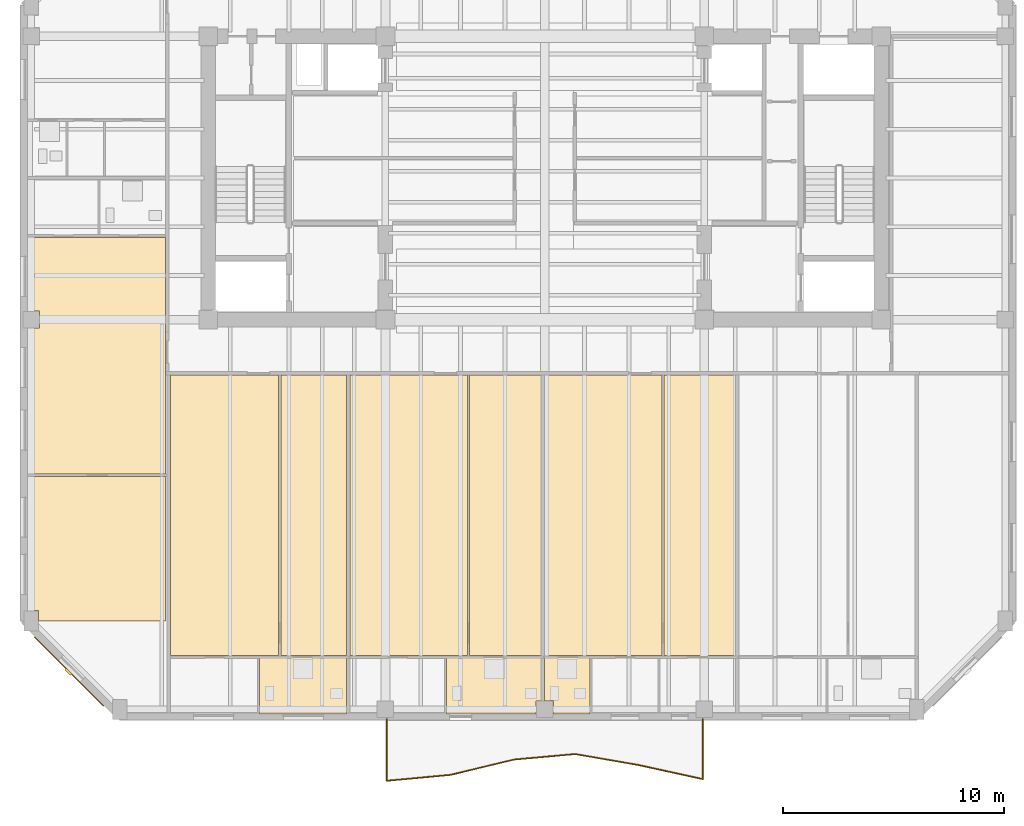
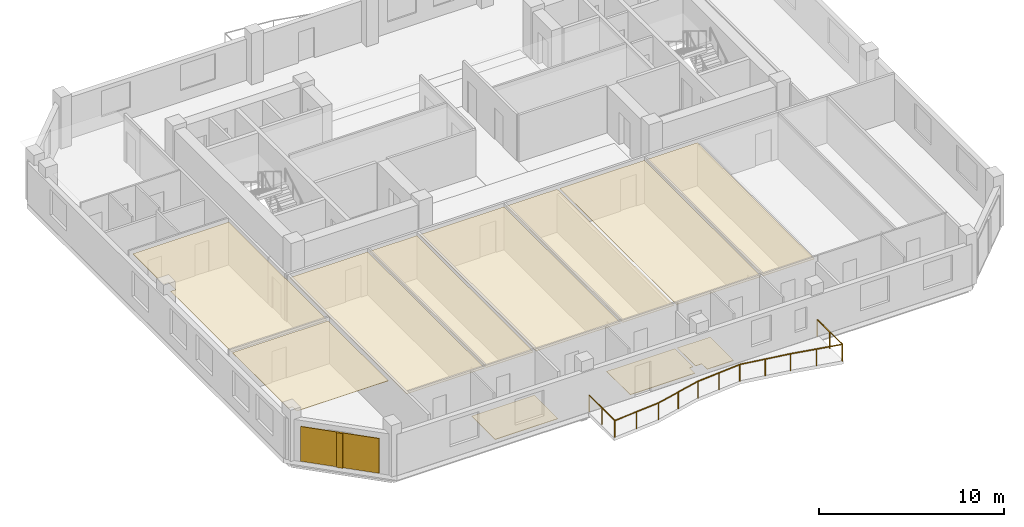
# One storey, part 7 of 11: 12 coverings, 1 railing, 1 shading device.
"""IFC4 building model written with IfcOpenShell, lengths in metres."""

from ifc_helpers import new_model, si_unit, direction, frame, origin, origin_2d, place, context, subcontext, project, spatial, polyline, rectangle, circle, outline, extrude, material, layer, layer_set, type_object, element, save


model = new_model("IFC4")

# Units and contexts
model_context = context("Model", 3, precision=1e-05, world=origin(), true_north=direction((0.0, 1.0)))
body_context = subcontext(model_context, "Body", "Model", "MODEL_VIEW")
ifc_project = project(units=[si_unit("LENGTHUNIT", "METRE"), si_unit("AREAUNIT", "SQUARE_METRE"), si_unit("VOLUMEUNIT", "CUBIC_METRE"), si_unit("PLANEANGLEUNIT", "RADIAN"), si_unit("MASSUNIT", "GRAM", prefix="KILO")], contexts=[model_context])

# Site, building, storey
site_placement = place(None, origin())
site = spatial("IfcSite", under=ifc_project, at=site_placement, CompositionType="ELEMENT")
building_placement = place(site_placement, origin())
building = spatial("IfcBuilding", under=site, at=building_placement, Name="Kranthara Brick Stack", CompositionType="ELEMENT")
storey_placement = place(building_placement, frame((0.0, 0.0, 221.10009765625)))
storey = spatial("IfcBuildingStorey", under=building, at=storey_placement, Name="L57", CompositionType="ELEMENT", Elevation=221.10009765625)

# Coverings
ifc_material_1 = material(Name="Perforated mineral-fibre acoustic ceiling tile", Category="other")
ifc_layer_1 = layer(ifc_material_1, 0.02490234375)
ifc_layer_set_1 = layer_set([ifc_layer_1], Name="Perforated mineral-fibre acoustic ceiling tile")
covering_type_1 = type_object("IfcCoveringType", Name="COV-CEIL-ACOUSTIC", PredefinedType="CEILING", material=ifc_layer_set_1)
covering_1_placement = place(storey_placement, frame((0.0, 0.0, 2.829833984375)))
element("IfcCovering", 1, at=covering_1_placement, inside=storey, type_object=covering_type_1, Name="L57 Unit L57A Studio Apartment Living Acoustic Ceiling", PredefinedType="CEILING", context=body_context, shape_type="SweptSolid", body=[
    extrude(outline(polyline([(15.97705078125, 5.6298828125), (15.97705078125, 18.300048828125), (11.10009765625, 18.300048828125), (11.10009765625, 5.6298828125), (15.97705078125, 5.6298828125)])), origin(), (0.0, 0.0, 1.0), 0.025146484375),
])
covering_2_placement = place(storey_placement, frame((0.0, 0.0, 2.829833984375)))
element("IfcCovering", 2, at=covering_2_placement, inside=storey, type_object=covering_type_1, Name="L57 Unit L57A Private Study Room Acoustic Ceiling", PredefinedType="CEILING", context=body_context, shape_type="SweptSolid", body=[
    extrude(outline(polyline([(19.047119140625, 5.6298828125), (19.047119140625, 18.300048828125), (16.076904296875, 18.300048828125), (16.076904296875, 5.6298828125), (19.047119140625, 5.6298828125)])), origin(), (0.0, 0.0, 1.0), 0.025146484375),
])
covering_3_placement = place(storey_placement, frame((0.0, 0.0, 2.829833984375)))
element("IfcCovering", 3, at=covering_3_placement, inside=storey, type_object=covering_type_1, Name="L57 Unit L57B Studio Apartment Living Acoustic Ceiling", PredefinedType="CEILING", context=body_context, shape_type="SweptSolid", body=[
    extrude(outline(polyline([(24.5029296875, 5.6298828125), (24.5029296875, 18.300048828125), (19.20703125, 18.300048828125), (19.20703125, 5.6298828125), (24.5029296875, 5.6298828125)])), origin(), (0.0, 0.0, 1.0), 0.025146484375),
])
covering_4_placement = place(storey_placement, frame((0.0, 0.0, 2.829833984375)))
element("IfcCovering", 4, at=covering_4_placement, inside=storey, type_object=covering_type_1, Name="L57 Unit L57B Private Study Room Acoustic Ceiling", PredefinedType="CEILING", context=body_context, shape_type="SweptSolid", body=[
    extrude(outline(polyline([(27.830078125, 5.6298828125), (27.830078125, 18.300048828125), (24.60302734375, 18.300048828125), (24.60302734375, 5.6298828125), (27.830078125, 5.6298828125)])), origin(), (0.0, 0.0, 1.0), 0.025146484375),
])
covering_5_placement = place(storey_placement, frame((0.0, 0.0, 2.829833984375)))
element("IfcCovering", 5, at=covering_5_placement, inside=storey, type_object=covering_type_1, Name="L57 Unit L57C 1-Bed Apartment Living Dining Acoustic Ceiling", PredefinedType="CEILING", context=body_context, shape_type="SweptSolid", body=[
    extrude(outline(polyline([(33.285888671875, 5.6298828125), (33.285888671875, 18.300048828125), (27.989990234375, 18.300048828125), (27.989990234375, 5.6298828125), (33.285888671875, 5.6298828125)])), origin(), (0.0, 0.0, 1.0), 0.025146484375),
])
covering_6_placement = place(storey_placement, frame((0.0, 0.0, 2.829833984375)))
element("IfcCovering", 6, at=covering_6_placement, inside=storey, type_object=covering_type_1, Name="L57 Unit L57C Private Study Room Acoustic Ceiling", PredefinedType="CEILING", context=body_context, shape_type="SweptSolid", body=[
    extrude(outline(polyline([(36.613037109375, 5.6298828125), (36.613037109375, 18.300048828125), (33.385986328125, 18.300048828125), (33.385986328125, 5.6298828125), (36.613037109375, 5.6298828125)])), origin(), (0.0, 0.0, 1.0), 0.025146484375),
])
covering_7_placement = place(storey_placement, frame((0.0, 0.0, 2.829833984375)))
element("IfcCovering", 7, at=covering_7_placement, inside=storey, type_object=covering_type_1, Name="L57 Unit L57E Private Study Room Acoustic Ceiling", PredefinedType="CEILING", context=body_context, shape_type="SweptSolid", body=[
    extrude(outline(polyline([(4.8701171875, 13.72802734375), (10.860107421875, 13.72802734375), (10.860107421875, 7.199951171875), (5.135009765625, 7.199951171875), (5.135009765625, 7.659912109375), (4.8701171875, 7.659912109375), (4.8701171875, 13.72802734375)])), origin(), (0.0, 0.0, 1.0), 0.025146484375),
])
covering_8_placement = place(storey_placement, frame((0.0, 0.0, 2.829833984375)))
element("IfcCovering", 8, at=covering_8_placement, inside=storey, type_object=covering_type_1, Name="L57 Unit L57E Studio Apartment Living Acoustic Ceiling", PredefinedType="CEILING", context=body_context, shape_type="SweptSolid", body=[
    extrude(outline(polyline([(4.8701171875, 24.510009765625), (10.860107421875, 24.510009765625), (10.860107421875, 13.827880859375), (4.8701171875, 13.827880859375), (4.8701171875, 20.4150390625), (5.18505859375, 20.4150390625), (5.18505859375, 21.18505859375), (4.8701171875, 21.18505859375), (4.8701171875, 24.510009765625)])), origin(), (0.0, 0.0, 1.0), 0.025146484375),
])
ifc_material_2 = material(Name="Warm buff kiln-fired brick slip rainscreen", Category="masonry")
ifc_layer_2 = layer(ifc_material_2, 0.044921875)
ifc_layer_set_2 = layer_set([ifc_layer_2], Name="Warm buff kiln-fired brick slip rainscreen")
covering_type_2 = type_object("IfcCoveringType", Name="COV-CLAD-BRICK", PredefinedType="CLADDING", material=ifc_layer_set_2)
covering_9_placement = place(storey_placement, frame((6.5126953125, 4.91259765625, 0.0498046875), z_axis=(0.0, 0.0, 1.0), x_axis=(-0.707106781187, 0.707106781187, 0.0)))
element("IfcCovering", 9, at=covering_9_placement, inside=storey, type_object=covering_type_2, Name="L57 Chamfer Brick Rainscreen Cladding SW", PredefinedType="CLADDING", context=body_context, shape_type="SweptSolid", body=[
    extrude(rectangle(XDim=4.39892578125, YDim=0.044921875, at=origin_2d()), origin(), (0.0, 0.0, 1.0), 2.300048828125),
])
ifc_material_3 = material(Name="Honed terrazzo and porcelain floor finish", Category="stone")
ifc_layer_3 = layer(ifc_material_3, 0.030029296875)
ifc_layer_set_3 = layer_set([ifc_layer_3], Name="Honed terrazzo and porcelain floor finish")
covering_type_3 = type_object("IfcCoveringType", Name="COV-FLOR-STONE", PredefinedType="FLOORING", material=ifc_layer_set_3)
covering_10_placement = place(storey_placement, origin())
element("IfcCovering", 10, at=covering_10_placement, inside=storey, type_object=covering_type_3, Name="L57 Wet Room Porcelain Flooring", PredefinedType="FLOORING", context=body_context, shape_type="SweptSolid", body=[
    extrude(outline(polyline([(19.047119140625, 3.0), (19.047119140625, 5.550048828125), (15.123046875, 5.550048828125), (15.123046875, 3.0), (19.047119140625, 3.0)])), origin(), (0.0, 0.0, 1.0), 0.02978515625),
])
covering_11_placement = place(storey_placement, origin())
element("IfcCovering", 11, at=covering_11_placement, inside=storey, type_object=covering_type_3, Name="L57 Wet Room Porcelain Flooring", PredefinedType="FLOORING", context=body_context, shape_type="SweptSolid", body=[
    extrude(outline(polyline([(23.568115234375, 3.0), (23.568115234375, 5.550048828125), (27.830078125, 5.550048828125), (27.830078125, 3.5849609375), (27.614990234375, 3.5849609375), (27.614990234375, 3.0), (23.568115234375, 3.0)])), origin(), (0.0, 0.0, 1.0), 0.02978515625),
])
covering_12_placement = place(storey_placement, origin())
element("IfcCovering", 12, at=covering_12_placement, inside=storey, type_object=covering_type_3, Name="L57 Wet Room Porcelain Flooring", PredefinedType="FLOORING", context=body_context, shape_type="SweptSolid", body=[
    extrude(outline(polyline([(27.989990234375, 5.550048828125), (30.0400390625, 5.550048828125), (30.0400390625, 3.0), (28.385009765625, 3.0), (28.385009765625, 3.5849609375), (27.989990234375, 3.5849609375), (27.989990234375, 5.550048828125)])), origin(), (0.0, 0.0, 1.0), 0.02978515625),
])

# Railing
ifc_material_4 = material(Name="Bronze anodised aluminium and laminated glass balustrade", Category="aluminium")
railing_type = type_object("IfcRailingType", Name="RL-BALC-1120", PredefinedType="BALUSTRADE", material=ifc_material_4)
railing_placement = place(storey_placement, frame((35.139892578125, 2.760009765625, 0.0)))
element("IfcRailing", 13, at=railing_placement, inside=storey, type_object=railing_type, Name="L57 South Rippling Balcony Balustrade", PredefinedType="BALUSTRADE", context=body_context, shape_type="SweptSolid", body=[
    extrude(circle(Radius=0.02392578125, at=origin_2d()), frame((0.0, 0.0, 1.09619140625), z_axis=(0.00027000269, -0.999999963549, 0.0), x_axis=(0.999999963549, 0.00027000269, 0.0)), (0.0, 0.0, 1.0), 2.712646484375),
    extrude(circle(Radius=0.02392578125, at=origin_2d()), frame((0.000732421875, -2.712646484375, 1.09619140625), z_axis=(-0.976740960085, 0.214422706104, 0.0), x_axis=(-0.214422706104, -0.976740960085, 0.0)), (0.0, 0.0, 1.0), 2.948974609375),
    extrude(circle(Radius=0.02392578125, at=origin_2d()), frame((-2.879638671875, -2.080322265625, 1.09619140625), z_axis=(-0.985274830648, 0.170978092433, 0.0), x_axis=(-0.170978092433, -0.985274830648, 0.0)), (0.0, 0.0, 1.0), 2.9228515625),
    extrude(circle(Radius=0.02392578125, at=origin_2d()), frame((-5.759521484375, -1.58056640625, 1.09619140625), z_axis=(-0.996049818735, -0.088796163198, 0.0), x_axis=(0.088796163198, -0.996049818735, 0.0)), (0.0, 0.0, 1.0), 2.771484375),
    extrude(circle(Radius=0.02392578125, at=origin_2d()), frame((-8.52001953125, -1.82666015625, 1.09619140625), z_axis=(-0.972143732499, -0.234385501607, 0.0), x_axis=(0.234385501607, -0.972143732499, 0.0)), (0.0, 0.0, 1.0), 2.96337890625),
    extrude(circle(Radius=0.02392578125, at=origin_2d()), frame((-11.40087890625, -2.521240234375, 1.09619140625), z_axis=(-0.995757163586, -0.092019949835, 0.0), x_axis=(0.092019949835, -0.995757163586, 0.0)), (0.0, 0.0, 1.0), 2.891845703125),
    extrude(circle(Radius=0.02392578125, at=origin_2d()), frame((-14.280517578125, -2.787353515625, 1.09619140625), z_axis=(0.000262766042, 0.999999965477, 0.0), x_axis=(-0.999999965477, 0.000262766042, 0.0)), (0.0, 0.0, 1.0), 2.787353515625),
    extrude(circle(Radius=0.02099609375, at=origin_2d()), origin(), (0.0, 0.0, 1.0), 1.072021484375),
    extrude(circle(Radius=0.02099609375, at=origin_2d()), frame((0.00048828125, -1.3564453125, 0.0)), (0.0, 0.0, 1.0), 1.072021484375),
    extrude(circle(Radius=0.02099609375, at=origin_2d()), frame((0.000732421875, -2.712646484375, 0.0)), (0.0, 0.0, 1.0), 1.072021484375),
    extrude(circle(Radius=0.02099609375, at=origin_2d()), frame((-1.439453125, -2.396484375, 0.0)), (0.0, 0.0, 1.0), 1.072021484375),
    extrude(circle(Radius=0.02099609375, at=origin_2d()), frame((-2.879638671875, -2.080322265625, 0.0)), (0.0, 0.0, 1.0), 1.072021484375),
    extrude(circle(Radius=0.02099609375, at=origin_2d()), frame((-4.319580078125, -1.83056640625, 0.0)), (0.0, 0.0, 1.0), 1.072021484375),
    extrude(circle(Radius=0.02099609375, at=origin_2d()), frame((-5.759521484375, -1.58056640625, 0.0)), (0.0, 0.0, 1.0), 1.072021484375),
    extrude(circle(Radius=0.02099609375, at=origin_2d()), frame((-7.1396484375, -1.70361328125, 0.0)), (0.0, 0.0, 1.0), 1.072021484375),
    extrude(circle(Radius=0.02099609375, at=origin_2d()), frame((-8.52001953125, -1.82666015625, 0.0)), (0.0, 0.0, 1.0), 1.072021484375),
    extrude(circle(Radius=0.02099609375, at=origin_2d()), frame((-9.96044921875, -2.173828125, 0.0)), (0.0, 0.0, 1.0), 1.072021484375),
    extrude(circle(Radius=0.02099609375, at=origin_2d()), frame((-11.40087890625, -2.521240234375, 0.0)), (0.0, 0.0, 1.0), 1.072021484375),
    extrude(circle(Radius=0.02099609375, at=origin_2d()), frame((-12.8408203125, -2.654296875, 0.0)), (0.0, 0.0, 1.0), 1.072021484375),
    extrude(circle(Radius=0.02099609375, at=origin_2d()), frame((-14.280517578125, -2.787353515625, 0.0)), (0.0, 0.0, 1.0), 1.072021484375),
    extrude(circle(Radius=0.02099609375, at=origin_2d()), frame((-14.2802734375, -1.3935546875, 0.0)), (0.0, 0.0, 1.0), 1.072021484375),
    extrude(circle(Radius=0.02099609375, at=origin_2d()), frame((-14.27978515625, 0.0, 0.0)), (0.0, 0.0, 1.0), 1.072021484375),
])

# Shading device
ifc_material_5 = material(Name="Kiln-fired terracotta aerodynamic wind fin", Category="masonry")
shading_device_type = type_object("IfcShadingDeviceType", Name="SHD-BAFFLE-CORNER", PredefinedType="SHUTTER", material=ifc_material_5)
shading_device_placement = place(storey_placement, frame((6.491455078125, 4.8916015625, 0.0498046875), z_axis=(0.0, 0.0, 1.0), x_axis=(-0.707106781187, 0.707106781187, 0.0)))
element("IfcShadingDevice", 14, at=shading_device_placement, inside=storey, type_object=shading_device_type, Name="L57 Chamfer Wind-Baffle Fin SW", PredefinedType="SHUTTER", context=body_context, shape_type="SweptSolid", body=[
    extrude(rectangle(XDim=0.35009765625, YDim=0.1201171875, at=origin_2d()), origin(), (0.0, 0.0, 1.0), 2.300048828125),
])

save(model, "model.ifc")
